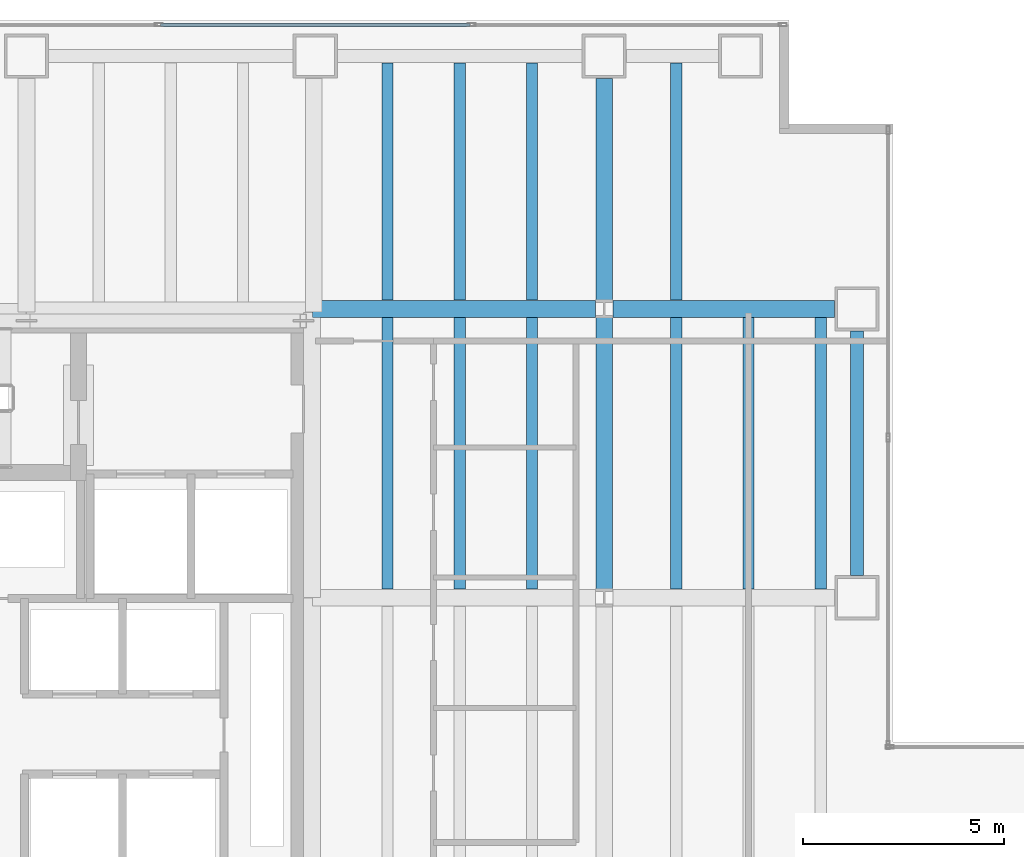
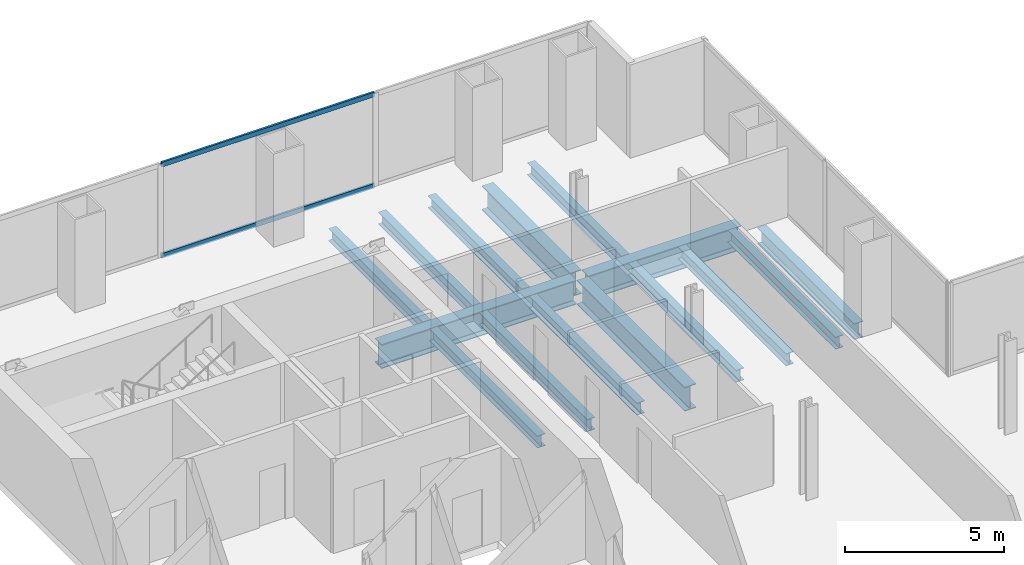
# One storey, part 17 of 23: 15 beams, 2 members, 1 element without a shape of its own.
"""IFC4 building model written with IfcOpenShell, lengths in metres."""

from ifc_helpers import new_model, si_unit, direction, frame, origin, origin_2d, place, context, subcontext, project, spatial, hollow_rectangle, i_section, extrude, material, material_profile, profile_set, type_object, element, aggregate, save


model = new_model("IFC4")

# Units and contexts
model_context = context("Model", 3, precision=1e-05, world=origin(), true_north=direction((0.0, 1.0)))
body_context = subcontext(model_context, "Body", "Model", "MODEL_VIEW")
ifc_project = project(units=[si_unit("LENGTHUNIT", "METRE"), si_unit("AREAUNIT", "SQUARE_METRE"), si_unit("VOLUMEUNIT", "CUBIC_METRE"), si_unit("PLANEANGLEUNIT", "RADIAN"), si_unit("MASSUNIT", "GRAM", prefix="KILO")], contexts=[model_context])

# Site, building, storey
site_placement = place(None, origin())
site = spatial("IfcSite", under=ifc_project, at=site_placement, CompositionType="ELEMENT")
building_placement = place(site_placement, origin())
building = spatial("IfcBuilding", under=site, at=building_placement, Name="Cobrela Telecom Tower", CompositionType="ELEMENT")
storey_placement = place(building_placement, frame((0.0, 0.0, 38.85009765625)))
storey = spatial("IfcBuildingStorey", under=building, at=storey_placement, Name="L09", CompositionType="ELEMENT", Elevation=38.85009765625)

# Beams
ifc_material_1 = material(Name="Steel ASTM A992 Grade 50", Category="steel")
ifc_material_profile_1 = material_profile(ifc_material_1, i_section(OverallWidth=0.4189453125, OverallDepth=0.927001953125, WebThickness=0.019287109375, FlangeThickness=0.031982421875, FilletRadius=0.02392578125, at=origin_2d()), Name="W36X231")
ifc_profile_set_1 = profile_set([ifc_material_profile_1], Name="Steel ASTM A992 Grade 50")
beam_type_1 = type_object("IfcBeamType", Name="BM-GIRD-02", PredefinedType="USERDEFINED", material=ifc_profile_set_1)
beam_1_placement = place(storey_placement, frame((14.324951171875, 36.0, -0.74365234375), z_axis=(1.0, 0.0, 0.0), x_axis=(0.0, 1.0, 0.0)))
element("IfcBeam", 1, at=beam_1_placement, inside=storey, type_object=beam_type_1, Name="L09 Primary Girder X27", ObjectType="GIRDER", PredefinedType="USERDEFINED", context=body_context, shape_type="SweptSolid", body=[
    extrude(i_section(OverallWidth=0.4189453125, OverallDepth=0.927001953125, WebThickness=0.019287109375, FlangeThickness=0.031982421875, FilletRadius=0.02392578125, at=origin_2d()), origin(), (0.0, 0.0, 1.0), 7.05908203125),
])
beam_2_placement = place(storey_placement, frame((21.81591796875, 36.0, -0.74365234375), z_axis=(1.0, 0.0, 0.0), x_axis=(0.0, 1.0, 0.0)))
element("IfcBeam", 2, at=beam_2_placement, inside=storey, type_object=beam_type_1, Name="L09 Primary Girder X28", ObjectType="GIRDER", PredefinedType="USERDEFINED", context=body_context, shape_type="SweptSolid", body=[
    extrude(i_section(OverallWidth=0.4189453125, OverallDepth=0.927001953125, WebThickness=0.019287109375, FlangeThickness=0.031982421875, FilletRadius=0.02392578125, at=origin_2d()), origin(), (0.0, 0.0, 1.0), 5.529052734375),
])
beam_3_placement = place(storey_placement, frame((21.60009765625, 29.01611328125, -0.74365234375), z_axis=(0.0, 1.0, 0.0), x_axis=(-1.0, 0.0, 0.0)))
element("IfcBeam", 3, at=beam_3_placement, inside=storey, type_object=beam_type_1, Name="L09 Primary Girder Y44", ObjectType="GIRDER", PredefinedType="USERDEFINED", context=body_context, shape_type="SweptSolid", body=[
    extrude(i_section(OverallWidth=0.4189453125, OverallDepth=0.927001953125, WebThickness=0.019287109375, FlangeThickness=0.031982421875, FilletRadius=0.02392578125, at=origin_2d()), origin(), (0.0, 0.0, 1.0), 6.767822265625),
])
beam_4_placement = place(storey_placement, frame((21.60009765625, 36.216064453125, -0.74365234375), z_axis=(0.0, 1.0, 0.0), x_axis=(-1.0, 0.0, 0.0)))
element("IfcBeam", 4, at=beam_4_placement, inside=storey, type_object=beam_type_1, Name="L09 Primary Girder Y45", ObjectType="GIRDER", PredefinedType="USERDEFINED", context=body_context, shape_type="SweptSolid", body=[
    extrude(i_section(OverallWidth=0.4189453125, OverallDepth=0.927001953125, WebThickness=0.019287109375, FlangeThickness=0.031982421875, FilletRadius=0.02392578125, at=origin_2d()), origin(), (0.0, 0.0, 1.0), 5.529052734375),
])
ifc_material_profile_2 = material_profile(ifc_material_1, i_section(OverallWidth=0.281982421875, OverallDepth=0.467041015625, WebThickness=0.01220703125, FlangeThickness=0.01953125, FilletRadius=0.012939453125, at=origin_2d()), Name="W18X86")
ifc_profile_set_2 = profile_set([ifc_material_profile_2], Name="Steel ASTM A992 Grade 50")
beam_type_2 = type_object("IfcBeamType", Name="BM-JOIST-02", PredefinedType="JOIST", material=ifc_profile_set_2)
beam_5_placement = place(storey_placement, frame((16.199951171875, 29.014404296875, -0.513671875), z_axis=(0.0, 1.0, 0.0), x_axis=(-1.0, 0.0, 0.0)))
element("IfcBeam", 5, at=beam_5_placement, inside=storey, type_object=beam_type_2, Name="L09 Secondary Composite Floor Beam J11", PredefinedType="JOIST", context=body_context, shape_type="SweptSolid", body=[
    extrude(i_section(OverallWidth=0.281982421875, OverallDepth=0.467041015625, WebThickness=0.01220703125, FlangeThickness=0.01953125, FilletRadius=0.012939453125, at=origin_2d()), origin(), (0.0, 0.0, 1.0), 6.77099609375),
])
beam_6_placement = place(storey_placement, frame((16.199951171875, 36.214599609375, -0.513671875), z_axis=(0.0, 1.0, 0.0), x_axis=(-1.0, 0.0, 0.0)))
element("IfcBeam", 6, at=beam_6_placement, inside=storey, type_object=beam_type_2, Name="L09 Secondary Composite Floor Beam J12", PredefinedType="JOIST", context=body_context, shape_type="SweptSolid", body=[
    extrude(i_section(OverallWidth=0.281982421875, OverallDepth=0.467041015625, WebThickness=0.01220703125, FlangeThickness=0.01953125, FilletRadius=0.012939453125, at=origin_2d()), origin(), (0.0, 0.0, 1.0), 5.91796875),
])
beam_7_placement = place(storey_placement, frame((18.0, 29.014404296875, -0.513671875), z_axis=(0.0, 1.0, 0.0), x_axis=(-1.0, 0.0, 0.0)))
element("IfcBeam", 7, at=beam_7_placement, inside=storey, type_object=beam_type_2, Name="L09 Secondary Composite Floor Beam J17", PredefinedType="JOIST", context=body_context, shape_type="SweptSolid", body=[
    extrude(i_section(OverallWidth=0.281982421875, OverallDepth=0.467041015625, WebThickness=0.01220703125, FlangeThickness=0.01953125, FilletRadius=0.012939453125, at=origin_2d()), origin(), (0.0, 0.0, 1.0), 6.77099609375),
])
beam_8_placement = place(storey_placement, frame((18.0, 36.214599609375, -0.513671875), z_axis=(0.0, 1.0, 0.0), x_axis=(-1.0, 0.0, 0.0)))
element("IfcBeam", 8, at=beam_8_placement, inside=storey, type_object=beam_type_2, Name="L09 Secondary Composite Floor Beam J18", PredefinedType="JOIST", context=body_context, shape_type="SweptSolid", body=[
    extrude(i_section(OverallWidth=0.281982421875, OverallDepth=0.467041015625, WebThickness=0.01220703125, FlangeThickness=0.01953125, FilletRadius=0.012939453125, at=origin_2d()), origin(), (0.0, 0.0, 1.0), 5.91796875),
])
beam_9_placement = place(storey_placement, frame((19.800048828125, 29.014404296875, -0.513671875), z_axis=(0.0, 1.0, 0.0), x_axis=(-1.0, 0.0, 0.0)))
element("IfcBeam", 9, at=beam_9_placement, inside=storey, type_object=beam_type_2, Name="L09 Secondary Composite Floor Beam J23", PredefinedType="JOIST", context=body_context, shape_type="SweptSolid", body=[
    extrude(i_section(OverallWidth=0.281982421875, OverallDepth=0.467041015625, WebThickness=0.01220703125, FlangeThickness=0.01953125, FilletRadius=0.012939453125, at=origin_2d()), origin(), (0.0, 0.0, 1.0), 6.77099609375),
])
beam_10_placement = place(storey_placement, frame((19.800048828125, 36.214599609375, -0.513671875), z_axis=(0.0, 1.0, 0.0), x_axis=(-1.0, 0.0, 0.0)))
element("IfcBeam", 10, at=beam_10_placement, inside=storey, type_object=beam_type_2, Name="L09 Secondary Composite Floor Beam J24", PredefinedType="JOIST", context=body_context, shape_type="SweptSolid", body=[
    extrude(i_section(OverallWidth=0.281982421875, OverallDepth=0.467041015625, WebThickness=0.01220703125, FlangeThickness=0.01953125, FilletRadius=0.012939453125, at=origin_2d()), origin(), (0.0, 0.0, 1.0), 5.91796875),
])
beam_11_placement = place(storey_placement, frame((23.39990234375, 29.014404296875, -0.513671875), z_axis=(0.0, 1.0, 0.0), x_axis=(-1.0, 0.0, 0.0)))
element("IfcBeam", 11, at=beam_11_placement, inside=storey, type_object=beam_type_2, Name="L09 Secondary Composite Floor Beam J29", PredefinedType="JOIST", context=body_context, shape_type="SweptSolid", body=[
    extrude(i_section(OverallWidth=0.281982421875, OverallDepth=0.467041015625, WebThickness=0.01220703125, FlangeThickness=0.01953125, FilletRadius=0.012939453125, at=origin_2d()), origin(), (0.0, 0.0, 1.0), 6.77099609375),
])
beam_12_placement = place(storey_placement, frame((23.39990234375, 36.214599609375, -0.513671875), z_axis=(0.0, 1.0, 0.0), x_axis=(-1.0, 0.0, 0.0)))
element("IfcBeam", 12, at=beam_12_placement, inside=storey, type_object=beam_type_2, Name="L09 Secondary Composite Floor Beam J30", PredefinedType="JOIST", context=body_context, shape_type="SweptSolid", body=[
    extrude(i_section(OverallWidth=0.281982421875, OverallDepth=0.467041015625, WebThickness=0.01220703125, FlangeThickness=0.01953125, FilletRadius=0.012939453125, at=origin_2d()), origin(), (0.0, 0.0, 1.0), 5.91796875),
])
for number, where, z_axis, x_axis, name in (
    (13, (25.199951171875, 29.014404296875, -0.513671875), (0.0, 1.0, 0.0), (-1.0, 0.0, 0.0), "L09 Secondary Composite Floor Beam J35"),
    (14, (27.0, 29.014404296875, -0.513671875), (0.0, 1.0, 0.0), (-1.0, 0.0, 0.0), "L09 Secondary Composite Floor Beam J40"),
):
    element("IfcBeam", number, at=place(storey_placement, frame(where, z_axis=z_axis, x_axis=x_axis)), inside=storey, type_object=beam_type_2, Name=name, PredefinedType="JOIST", context=body_context, shape_type="SweptSolid", body=[
        extrude(i_section(OverallWidth=0.281982421875, OverallDepth=0.467041015625, WebThickness=0.01220703125, FlangeThickness=0.01953125, FilletRadius=0.012939453125, at=origin_2d()), origin(), (0.0, 0.0, 1.0), 6.77099609375),
    ])
ifc_material_profile_3 = material_profile(ifc_material_1, i_section(OverallWidth=0.324951171875, OverallDepth=0.612060546875, WebThickness=0.0126953125, FlangeThickness=0.01904296875, FilletRadius=0.014892578125, at=origin_2d()), Name="W24X104")
ifc_profile_set_3 = profile_set([ifc_material_profile_3], Name="Steel ASTM A992 Grade 50")
beam_type_3 = type_object("IfcBeamType", Name="BM-SPAND-02", PredefinedType="SPANDREL", material=ifc_profile_set_3)
beam_13_placement = place(storey_placement, frame((27.89990234375, 29.35498046875, -0.586181640625), z_axis=(0.0, 1.0, 0.0), x_axis=(-1.0, 0.0, 0.0)))
element("IfcBeam", 15, at=beam_13_placement, inside=storey, type_object=beam_type_3, Name="L09 Perimeter Spandrel Y46", PredefinedType="SPANDREL", context=body_context, shape_type="SweptSolid", body=[
    extrude(i_section(OverallWidth=0.324951171875, OverallDepth=0.612060546875, WebThickness=0.0126953125, FlangeThickness=0.01904296875, FilletRadius=0.014892578125, at=origin_2d()), origin(), (0.0, 0.0, 1.0), 6.090087890625),
])

# Curtain wall, members
ifc_material_2 = material(Name="Anodized Bronze Aluminium 6063-T6", Category="aluminium")
curtain_wall_type = type_object("IfcCurtainWallType", Name="CW-SYS-DATA", PredefinedType="USERDEFINED", material=ifc_material_2)
curtain_wall_placement = place(storey_placement, origin())
curtain_wall = element("IfcCurtainWall", 16, at=curtain_wall_placement, inside=storey, type_object=curtain_wall_type, Name="L09 Unitised Bronze Curtain Wall 07", ObjectType="UNITISED CURTAIN WALL", PredefinedType="USERDEFINED")
ifc_material_profile_4 = material_profile(ifc_material_2, hollow_rectangle(XDim=0.074951171875, YDim=0.179931640625, WallThickness=0.00390625, at=origin_2d()), Name="ALU 75x180x4")
ifc_profile_set_4 = profile_set([ifc_material_profile_4], Name="Anodized Bronze Aluminium 6063-T6")
member_type = type_object("IfcMemberType", Name="CW-SYS-DATA-TRN", PredefinedType="USERDEFINED", material=ifc_profile_set_4)
member_1_placement = place(storey_placement, frame((10.543212890625, 43.080078125, 0.037353515625), z_axis=(1.0, 0.0, 0.0), x_axis=(0.0, 1.0, 0.0)))
member_1 = element("IfcMember", 17, at=member_1_placement, type_object=member_type, Name="CW-DATA transom 2.1", ObjectType="TRANSOM", PredefinedType="USERDEFINED", context=body_context, shape_type="SweptSolid", body=[
    extrude(hollow_rectangle(XDim=0.074951171875, YDim=0.179931640625, WallThickness=0.00390625, at=origin_2d()), origin(), (0.0, 0.0, 1.0), 7.71337890625),
])
member_2_placement = place(storey_placement, frame((10.543212890625, 43.080078125, 3.532470703125), z_axis=(1.0, 0.0, 0.0), x_axis=(0.0, 1.0, 0.0)))
member_2 = element("IfcMember", 18, at=member_2_placement, type_object=member_type, Name="CW-DATA transom 2.2", ObjectType="TRANSOM", PredefinedType="USERDEFINED", context=body_context, shape_type="SweptSolid", body=[
    extrude(hollow_rectangle(XDim=0.074951171875, YDim=0.179931640625, WallThickness=0.00390625, at=origin_2d()), origin(), (0.0, 0.0, 1.0), 7.71337890625),
])
aggregate(curtain_wall, [member_1, member_2])

save(model, "model.ifc")
